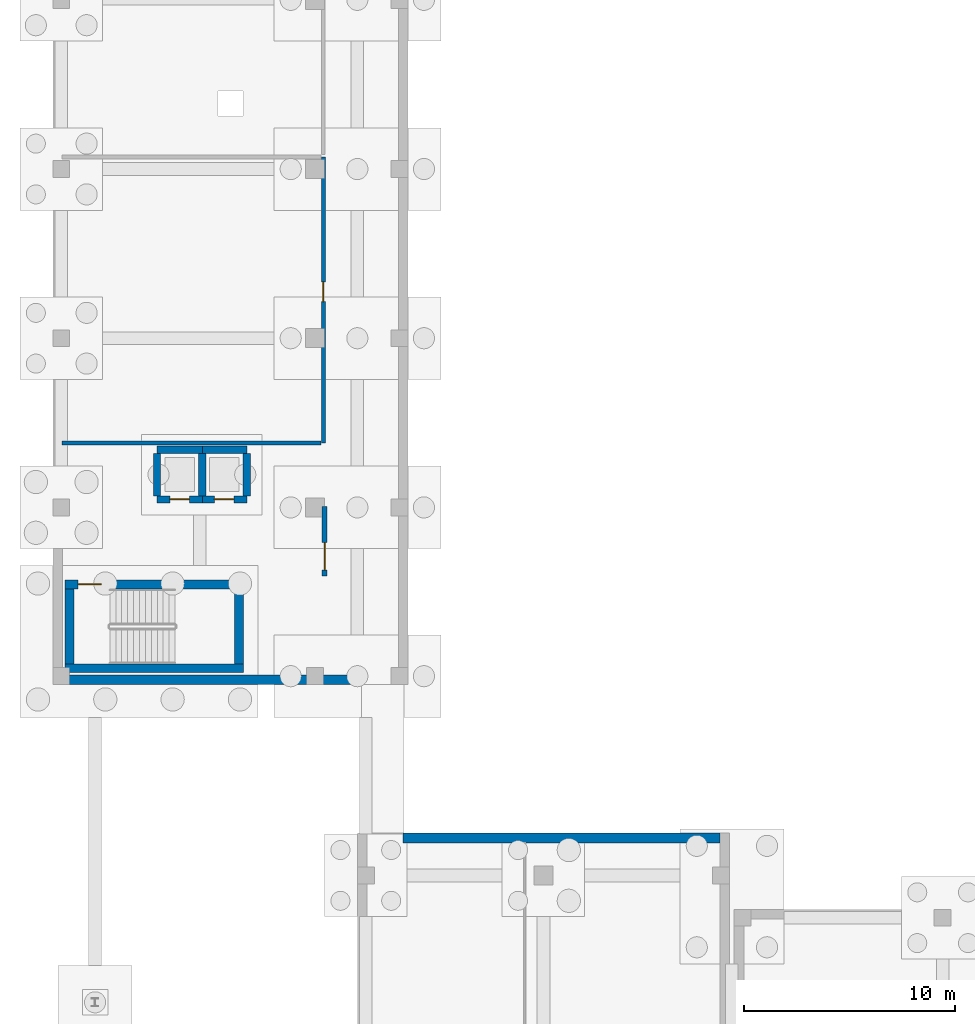
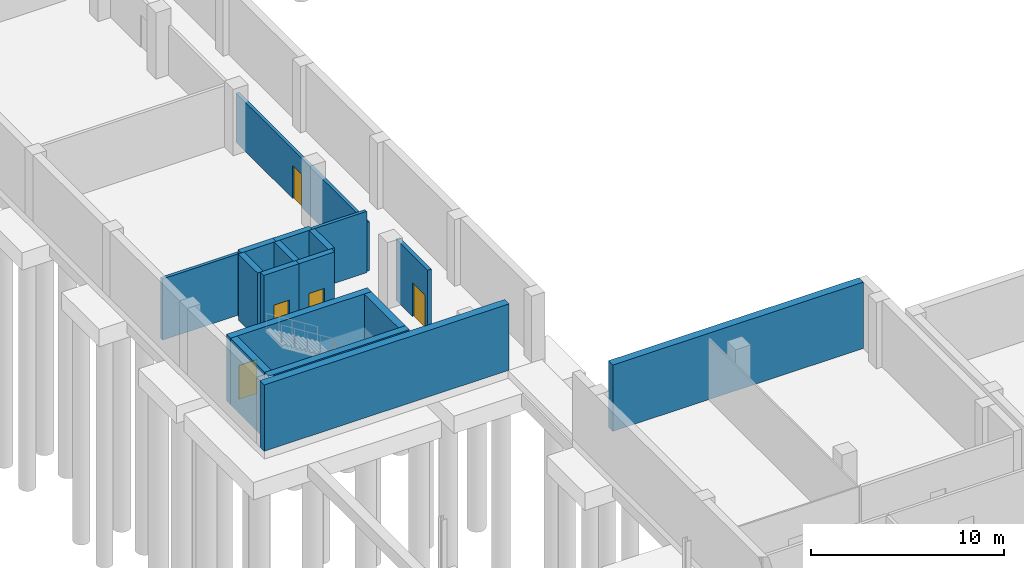
# One storey, part 16 of 31: 16 walls, 5 doors, 5 openings.
"""IFC4 building model written with IfcOpenShell, lengths in metres."""

from ifc_helpers import new_model, si_unit, direction, frame, frame_2d, origin, place, context, subcontext, project, spatial, rectangle, extrude, material, layer, layer_set, type_object, element, fill, save


model = new_model("IFC4")

# Units and contexts
model_context = context("Model", 3, precision=1e-05, world=origin(), true_north=direction((0.0, 1.0)))
body_context = subcontext(model_context, "Body", "Model", "MODEL_VIEW")
ifc_project = project(units=[si_unit("LENGTHUNIT", "METRE"), si_unit("AREAUNIT", "SQUARE_METRE"), si_unit("VOLUMEUNIT", "CUBIC_METRE"), si_unit("PLANEANGLEUNIT", "RADIAN"), si_unit("MASSUNIT", "GRAM", prefix="KILO")], contexts=[model_context])

# Site, building, storey
site_placement = place(None, origin())
site = spatial("IfcSite", under=ifc_project, at=site_placement, CompositionType="ELEMENT")
building_placement = place(site_placement, origin())
building = spatial("IfcBuilding", under=site, at=building_placement, Name="Qalavern Law Courts", CompositionType="ELEMENT")
storey_placement = place(building_placement, frame((0.0, 0.0, -8.39990234375)))
storey = spatial("IfcBuildingStorey", under=building, at=storey_placement, Name="B2", CompositionType="ELEMENT", Elevation=-8.39990234375)

# Walls
ifc_material_1 = material(Name="Concrete C35/45", Category="concrete")
ifc_layer_1 = layer(ifc_material_1, 0.4599609375)
ifc_layer_set_1 = layer_set([ifc_layer_1], Name="Concrete C35/45")
wall_type_1 = type_object("IfcWallType", Name="ENV-EW-RET460", PredefinedType="SOLIDWALL", material=ifc_layer_set_1)
wall_1_placement = place(storey_placement, frame((33.544921875, 33.77001953125, 0.0), z_axis=(0.0, 0.0, 1.0), x_axis=(-1.0, 0.0, 0.0)))
element("IfcWall", 1, at=wall_1_placement, inside=storey, type_object=wall_type_1, Name="V1 basement retaining wall B2 north", PredefinedType="SOLIDWALL", context=body_context, shape_type="SweptSolid", body=[
    extrude(rectangle(XDim=14.994873046875, YDim=0.4599609375, at=frame_2d((7.49755859375, 0.0))), origin(), (0.0, 0.0, 1.0), 4.199951171875),
])
wall_2_placement = place(storey_placement, frame((2.0, 41.25, 0.0), z_axis=(0.0, 0.0, 1.0), x_axis=(1.0, 0.0, 0.0)))
element("IfcWall", 2, at=wall_2_placement, inside=storey, type_object=wall_type_1, Name="V3 basement retaining wall B2 south", PredefinedType="SOLIDWALL", context=body_context, shape_type="SweptSolid", body=[
    extrude(rectangle(XDim=14.64990234375, YDim=0.4599609375, at=frame_2d((7.324951171875, 0.0))), origin(), (0.0, 0.0, 1.0), 4.199951171875),
])
ifc_material_2 = material(Name="Concrete C45/55", Category="concrete")
ifc_layer_2 = layer(ifc_material_2, 0.4150390625)
ifc_layer_set_2 = layer_set([ifc_layer_2], Name="Concrete C45/55")
wall_type_2 = type_object("IfcWallType", Name="INT-CW-415", PredefinedType="SHEAR", material=ifc_layer_set_2)
wall_3_placement = place(storey_placement, frame((2.5849609375, 41.79248046875, 0.0), z_axis=(0.0, 0.0, 1.0), x_axis=(1.0, 0.0, 0.0)))
element("IfcWall", 3, at=wall_3_placement, inside=storey, type_object=wall_type_2, Name="Core K2 stair shear wall B2 south", PredefinedType="SHEAR", context=body_context, shape_type="SweptSolid", body=[
    extrude(rectangle(XDim=8.429931640625, YDim=0.4150390625, at=frame_2d((4.21484375, 0.0))), origin(), (0.0, 0.0, 1.0), 4.199951171875),
])
wall_4_placement = place(storey_placement, frame((10.8076171875, 42.0, 0.0), z_axis=(0.0, 0.0, 1.0), x_axis=(0.0, 1.0, 0.0)))
element("IfcWall", 4, at=wall_4_placement, inside=storey, type_object=wall_type_2, Name="Core K2 stair shear wall B2 east", PredefinedType="SHEAR", context=body_context, shape_type="SweptSolid", body=[
    extrude(rectangle(XDim=3.550048828125, YDim=0.4150390625, at=frame_2d((1.77490234375, 0.0))), origin(), (0.0, 0.0, 1.0), 4.199951171875),
])

# Wall, opening, door
wall_5_placement = place(storey_placement, frame((11.014892578125, 45.757568359375, 0.0), z_axis=(0.0, 0.0, 1.0), x_axis=(-1.0, 0.0, 0.0)))
wall_5 = element("IfcWall", 5, at=wall_5_placement, inside=storey, type_object=wall_type_2, Name="Core K2 stair shear wall B2 north", PredefinedType="SHEAR", context=body_context, shape_type="SweptSolid", body=[
    extrude(rectangle(XDim=8.429931640625, YDim=0.4150390625, at=frame_2d((4.21484375, 0.0))), origin(), (0.0, 0.0, 1.0), 4.199951171875),
])
opening_1_placement = place(wall_5_placement, frame((6.715087890625, 0.0, 0.0)))
opening_1 = element("IfcOpeningElement", 6, at=opening_1_placement, cuts=wall_5, Name="Opening B2-D049", PredefinedType="OPENING", context=body_context, shape_type="SweptSolid", body=[
    extrude(rectangle(XDim=1.10009765625, YDim=2.14990234375, at=frame_2d((0.550048828125, 1.074951171875))), frame((0.0, 0.222412109375, 0.0), z_axis=(0.0, -1.0, 0.0), x_axis=(1.0, 0.0, 0.0)), (0.0, 0.0, 1.0), 0.44482421875),
])
ifc_material_3 = material(Name="Steel fire-rated stair enclosure door", Category="steel")
door_type_1 = type_object("IfcDoorType", Name="INT-FD-1100x2150", OperationType="NOTDEFINED", PredefinedType="DOOR", material=ifc_material_3)
door_1_placement = place(opening_1_placement, frame((1.10009765625, 0.0, 0.0), z_axis=(0.0, 0.0, 1.0), x_axis=(-1.0, 0.0, 0.0)))
door_1 = element("IfcDoor", 7, at=door_1_placement, inside=storey, type_object=door_type_1, Name="Stair K2 fire door B2", OperationType="SINGLE_SWING_LEFT", OverallHeight=2.14990234375, OverallWidth=1.10009765625, PredefinedType="DOOR", context=body_context, shape_type="SweptSolid", body=[
    extrude(rectangle(XDim=1.10009765625, YDim=2.14990234375, at=frame_2d((0.550048828125, 1.074951171875))), frame((0.0, 0.02490234375, 0.0), z_axis=(0.0, -1.0, 0.0), x_axis=(1.0, 0.0, 0.0)), (0.0, 0.0, 1.0), 0.050048828125),
])
fill(opening_1, door_1)

# Wall
wall_6_placement = place(storey_placement, frame((2.79248046875, 45.550048828125, 0.0), z_axis=(0.0, 0.0, 1.0), x_axis=(0.0, -1.0, 0.0)))
element("IfcWall", 8, at=wall_6_placement, inside=storey, type_object=wall_type_2, Name="Core K2 stair shear wall B2 west", PredefinedType="SHEAR", context=body_context, shape_type="SweptSolid", body=[
    extrude(rectangle(XDim=3.550048828125, YDim=0.4150390625, at=frame_2d((1.77490234375, 0.0))), origin(), (0.0, 0.0, 1.0), 4.199951171875),
])

# Wall, opening, door
ifc_material_4 = material(Name="Concrete C40/50", Category="concrete")
ifc_layer_3 = layer(ifc_material_4, 0.22509765625)
ifc_layer_set_3 = layer_set([ifc_layer_3], Name="Concrete C40/50")
wall_type_3 = type_object("IfcWallType", Name="INT-FW-225", PredefinedType="PARTITIONING", material=ifc_layer_set_3)
wall_7_placement = place(storey_placement, frame((14.85009765625, 46.14990234375, 0.0), z_axis=(0.0, 0.0, 1.0), x_axis=(0.0, 1.0, 0.0)))
wall_7 = element("IfcWall", 9, at=wall_7_placement, inside=storey, type_object=wall_type_3, Name="Core K2 firefighting/stair lobby fire wall B2", PredefinedType="PARTITIONING", context=body_context, shape_type="SweptSolid", body=[
    extrude(rectangle(XDim=3.300048828125, YDim=0.22509765625, at=frame_2d((1.64990234375, 0.0))), origin(), (0.0, 0.0, 1.0), 3.8798828125),
])
opening_2_placement = place(wall_7_placement, frame((0.280029296875, 0.0, 0.0)))
opening_2 = element("IfcOpeningElement", 10, at=opening_2_placement, cuts=wall_7, Name="Opening B2-D050", PredefinedType="OPENING", context=body_context, shape_type="SweptSolid", body=[
    extrude(rectangle(XDim=1.300048828125, YDim=2.14990234375, at=frame_2d((0.64990234375, 1.074951171875))), frame((0.0, 0.12744140625, 0.0), z_axis=(0.0, -1.0, 0.0), x_axis=(1.0, 0.0, 0.0)), (0.0, 0.0, 1.0), 0.2548828125),
])
ifc_material_5 = material(Name="Steel fire-rated frame and acoustic timber leaves", Category="steel")
door_type_2 = type_object("IfcDoorType", Name="INT-FD-1300x2150", OperationType="DOUBLE_DOOR_SINGLE_SWING", PredefinedType="DOOR", material=ifc_material_5)
door_2_placement = place(opening_2_placement, origin())
door_2 = element("IfcDoor", 11, at=door_2_placement, inside=storey, type_object=door_type_2, Name="Core K2 lobby fire door B2", OperationType="DOUBLE_DOOR_SINGLE_SWING", OverallHeight=2.14990234375, OverallWidth=1.300048828125, PredefinedType="DOOR", context=body_context, shape_type="SweptSolid", body=[
    extrude(rectangle(XDim=1.300048828125, YDim=2.14990234375, at=frame_2d((0.64990234375, 1.074951171875))), frame((0.0, 0.02490234375, 0.0), z_axis=(0.0, -1.0, 0.0), x_axis=(1.0, 0.0, 0.0)), (0.0, 0.0, 1.0), 0.050048828125),
])
fill(opening_2, door_2)

ifc_material_6 = material(Name="Gypsum acoustic stud partition")
ifc_layer_4 = layer(ifc_material_6, 0.18603515625)
ifc_layer_set_4 = layer_set([ifc_layer_4], Name="Gypsum acoustic stud partition")
wall_type_4 = type_object("IfcWallType", Name="INT-PW-186", PredefinedType="PARTITIONING", material=ifc_layer_set_4)
wall_8_placement = place(storey_placement, frame((14.7900390625, 52.43994140625, 0.0), z_axis=(0.0, 0.0, 1.0), x_axis=(0.0, 1.0, 0.0)))
wall_8 = element("IfcWall", 12, at=wall_8_placement, inside=storey, type_object=wall_type_4, Name="Legal Evidence Archive Vault corridor partition B2", PredefinedType="PARTITIONING", context=body_context, shape_type="SweptSolid", body=[
    extrude(rectangle(XDim=13.52197265625, YDim=0.18603515625, at=frame_2d((6.760986328125, 0.0))), origin(), (0.0, 0.0, 1.0), 3.10986328125),
])
opening_3_placement = place(wall_8_placement, frame((6.696044921875, 0.0, 0.0)))
opening_3 = element("IfcOpeningElement", 13, at=opening_3_placement, cuts=wall_8, Name="Opening B2-D202", PredefinedType="OPENING", context=body_context, shape_type="SweptSolid", body=[
    extrude(rectangle(XDim=0.929931640625, YDim=2.080078125, at=frame_2d((0.46484375, 1.0400390625))), frame((0.0, 0.10791015625, 0.0), z_axis=(0.0, -1.0, 0.0), x_axis=(1.0, 0.0, 0.0)), (0.0, 0.0, 1.0), 0.2158203125),
])
ifc_material_7 = material(Name="Steel Legal Archive Vault door", Category="steel")
door_type_3 = type_object("IfcDoorType", Name="INT-ID-930x2080", OperationType="NOTDEFINED", PredefinedType="DOOR", material=ifc_material_7)
door_3_placement = place(opening_3_placement, frame((0.929931640625, 0.0, 0.0), z_axis=(0.0, 0.0, 1.0), x_axis=(-1.0, 0.0, 0.0)))
door_3 = element("IfcDoor", 14, at=door_3_placement, inside=storey, type_object=door_type_3, Name="Legal Evidence Archive Vault door B2", OperationType="SINGLE_SWING_RIGHT", OverallHeight=2.080078125, OverallWidth=0.929931640625, PredefinedType="DOOR", context=body_context, shape_type="SweptSolid", body=[
    extrude(rectangle(XDim=0.929931640625, YDim=2.080078125, at=frame_2d((0.46484375, 1.0400390625))), frame((0.0, 0.02490234375, 0.0), z_axis=(0.0, -1.0, 0.0), x_axis=(1.0, 0.0, 0.0)), (0.0, 0.0, 1.0), 0.050048828125),
])
fill(opening_3, door_3)

# Wall
wall_9_placement = place(storey_placement, frame((2.43994140625, 52.43994140625, 0.0), z_axis=(0.0, 0.0, 1.0), x_axis=(1.0, 0.0, 0.0)))
element("IfcWall", 15, at=wall_9_placement, inside=storey, type_object=wall_type_4, Name="Legal Evidence Archive Vault cross partition B2 south", PredefinedType="PARTITIONING", context=body_context, shape_type="SweptSolid", body=[
    extrude(rectangle(XDim=12.237060546875, YDim=0.18603515625, at=frame_2d((6.11865234375, 0.0))), origin(), (0.0, 0.0, 1.0), 3.8798828125),
])

# Wall, opening, door
ifc_layer_5 = layer(ifc_material_2, 0.344970703125)
ifc_layer_set_5 = layer_set([ifc_layer_5], Name="Concrete C45/55")
wall_type_5 = type_object("IfcWallType", Name="INT-SW-345", PredefinedType="SHEAR", material=ifc_layer_set_5)
wall_10_placement = place(storey_placement, frame((6.927490234375, 49.777587890625, 0.0), z_axis=(0.0, 0.0, 1.0), x_axis=(1.0, 0.0, 0.0)))
wall_10 = element("IfcWall", 16, at=wall_10_placement, inside=storey, type_object=wall_type_5, Name="Lift LF-C1 shaft wall B2 south", PredefinedType="SHEAR", context=body_context, shape_type="SweptSolid", body=[
    extrude(rectangle(XDim=2.14501953125, YDim=0.344970703125, at=frame_2d((1.072509765625, 0.0))), origin(), (0.0, 0.0, 1.0), 4.199951171875),
])
opening_4_placement = place(wall_10_placement, frame((0.612548828125, 0.0, 0.0)))
opening_4 = element("IfcOpeningElement", 17, at=opening_4_placement, cuts=wall_10, Name="Opening LD-LF-C1-B2", PredefinedType="OPENING", context=body_context, shape_type="SweptSolid", body=[
    extrude(rectangle(XDim=0.919921875, YDim=2.10009765625, at=frame_2d((0.4599609375, 1.050048828125))), frame((0.0, 0.1875, 0.0), z_axis=(0.0, -1.0, 0.0), x_axis=(1.0, 0.0, 0.0)), (0.0, 0.0, 1.0), 0.374755859375),
])
ifc_material_8 = material(Name="Heavy-gauge steel custody lift sliding landing door", Category="steel")
door_type_4 = type_object("IfcDoorType", Name="INT-LD-920x2100", OperationType="SLIDING_TO_LEFT", PredefinedType="DOOR", material=ifc_material_8)
door_4_placement = place(opening_4_placement, origin())
door_4 = element("IfcDoor", 18, at=door_4_placement, inside=storey, type_object=door_type_4, Name="Lift LF-C1 sliding landing door B2", OperationType="SLIDING_TO_LEFT", OverallHeight=2.10009765625, OverallWidth=0.919921875, PredefinedType="DOOR", context=body_context, shape_type="SweptSolid", body=[
    extrude(rectangle(XDim=0.919921875, YDim=2.10009765625, at=frame_2d((0.4599609375, 1.050048828125))), frame((0.0, 0.02490234375, 0.0), z_axis=(0.0, -1.0, 0.0), x_axis=(1.0, 0.0, 0.0)), (0.0, 0.0, 1.0), 0.050048828125),
])
fill(opening_4, door_4)

# Walls
wall_11_placement = place(storey_placement, frame((9.072509765625, 49.949951171875, 0.0), z_axis=(0.0, 0.0, 1.0), x_axis=(0.0, 1.0, 0.0)))
element("IfcWall", 19, at=wall_11_placement, inside=storey, type_object=wall_type_5, Name="Lift LF-C1 shaft wall B2 east", PredefinedType="SHEAR", context=body_context, shape_type="SweptSolid", body=[
    extrude(rectangle(XDim=2.0, YDim=0.344970703125, at=frame_2d((1.0, 0.0))), origin(), (0.0, 0.0, 1.0), 4.199951171875),
])
wall_12_placement = place(storey_placement, frame((9.072509765625, 52.12255859375, 0.0), z_axis=(0.0, 0.0, 1.0), x_axis=(-1.0, 0.0, 0.0)))
element("IfcWall", 20, at=wall_12_placement, inside=storey, type_object=wall_type_5, Name="Lift LF-C1 shaft wall B2 north", PredefinedType="SHEAR", context=body_context, shape_type="SweptSolid", body=[
    extrude(rectangle(XDim=2.14501953125, YDim=0.344970703125, at=frame_2d((1.072509765625, 0.0))), origin(), (0.0, 0.0, 1.0), 4.199951171875),
])
wall_13_placement = place(storey_placement, frame((6.927490234375, 51.949951171875, 0.0), z_axis=(0.0, 0.0, 1.0), x_axis=(0.0, -1.0, 0.0)))
element("IfcWall", 21, at=wall_13_placement, inside=storey, type_object=wall_type_5, Name="Lift LF-C1 shaft wall B2 west", PredefinedType="SHEAR", context=body_context, shape_type="SweptSolid", body=[
    extrude(rectangle(XDim=2.0, YDim=0.344970703125, at=frame_2d((1.0, 0.0))), origin(), (0.0, 0.0, 1.0), 4.199951171875),
])

# Wall, opening, door
wall_14_placement = place(storey_placement, frame((9.027587890625, 49.777587890625, 0.0), z_axis=(0.0, 0.0, 1.0), x_axis=(1.0, 0.0, 0.0)))
wall_14 = element("IfcWall", 22, at=wall_14_placement, inside=storey, type_object=wall_type_5, Name="Lift LF-C2 shaft wall B2 south", PredefinedType="SHEAR", context=body_context, shape_type="SweptSolid", body=[
    extrude(rectangle(XDim=2.14501953125, YDim=0.344970703125, at=frame_2d((1.072509765625, 0.0))), origin(), (0.0, 0.0, 1.0), 4.199951171875),
])
opening_5_placement = place(wall_14_placement, frame((0.612548828125, 0.0, 0.0)))
opening_5 = element("IfcOpeningElement", 23, at=opening_5_placement, cuts=wall_14, Name="Opening LD-LF-C2-B2", PredefinedType="OPENING", context=body_context, shape_type="SweptSolid", body=[
    extrude(rectangle(XDim=0.919921875, YDim=2.10009765625, at=frame_2d((0.4599609375, 1.050048828125))), frame((0.0, 0.1875, 0.0), z_axis=(0.0, -1.0, 0.0), x_axis=(1.0, 0.0, 0.0)), (0.0, 0.0, 1.0), 0.374755859375),
])
door_5_placement = place(opening_5_placement, origin())
door_5 = element("IfcDoor", 24, at=door_5_placement, inside=storey, type_object=door_type_4, Name="Lift LF-C2 sliding landing door B2", OperationType="SLIDING_TO_LEFT", OverallHeight=2.10009765625, OverallWidth=0.919921875, PredefinedType="DOOR", context=body_context, shape_type="SweptSolid", body=[
    extrude(rectangle(XDim=0.919921875, YDim=2.10009765625, at=frame_2d((0.4599609375, 1.050048828125))), frame((0.0, 0.02490234375, 0.0), z_axis=(0.0, -1.0, 0.0), x_axis=(1.0, 0.0, 0.0)), (0.0, 0.0, 1.0), 0.050048828125),
])
fill(opening_5, door_5)

# Walls
wall_15_placement = place(storey_placement, frame((11.172607421875, 49.949951171875, 0.0), z_axis=(0.0, 0.0, 1.0), x_axis=(0.0, 1.0, 0.0)))
element("IfcWall", 25, at=wall_15_placement, inside=storey, type_object=wall_type_5, Name="Lift LF-C2 shaft wall B2 east", PredefinedType="SHEAR", context=body_context, shape_type="SweptSolid", body=[
    extrude(rectangle(XDim=2.0, YDim=0.344970703125, at=frame_2d((1.0, 0.0))), origin(), (0.0, 0.0, 1.0), 4.199951171875),
])
wall_16_placement = place(storey_placement, frame((11.172607421875, 52.12255859375, 0.0), z_axis=(0.0, 0.0, 1.0), x_axis=(-1.0, 0.0, 0.0)))
element("IfcWall", 26, at=wall_16_placement, inside=storey, type_object=wall_type_5, Name="Lift LF-C2 shaft wall B2 north", PredefinedType="SHEAR", context=body_context, shape_type="SweptSolid", body=[
    extrude(rectangle(XDim=2.14501953125, YDim=0.344970703125, at=frame_2d((1.072509765625, 0.0))), origin(), (0.0, 0.0, 1.0), 4.199951171875),
])

save(model, "model.ifc")
